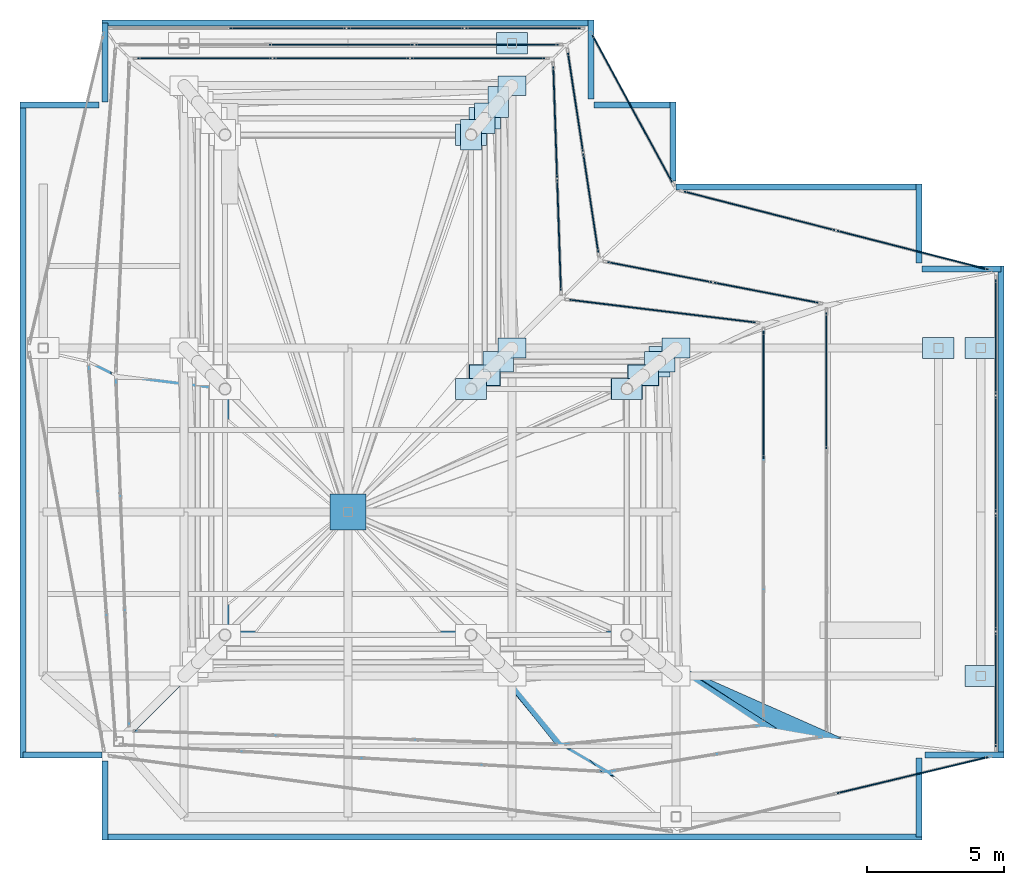
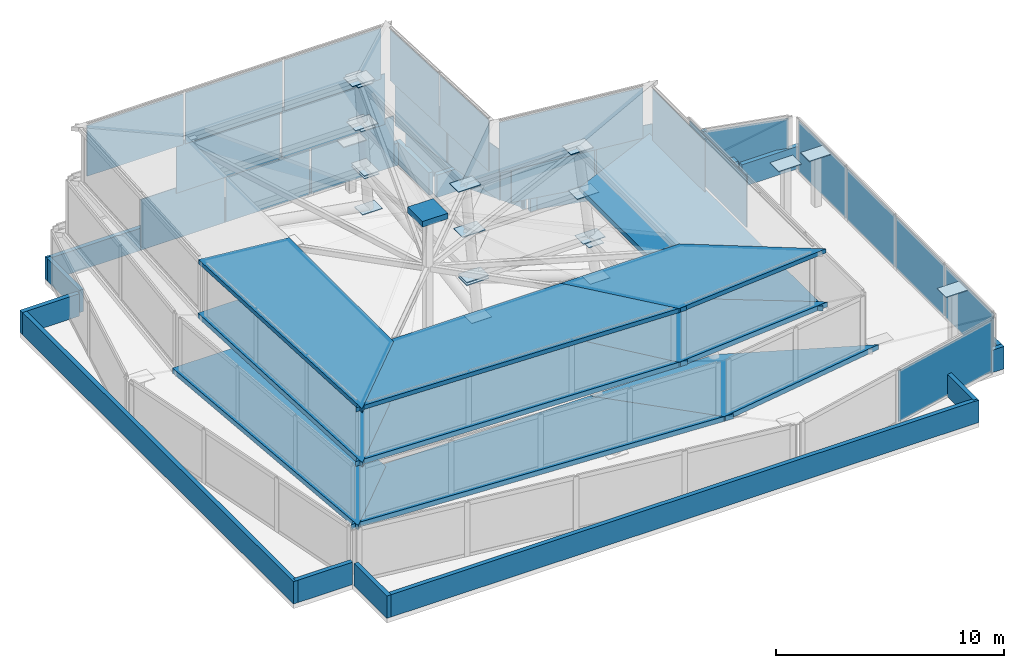
# One storey, part 13 of 15: 50 plates, 16 walls, 11 discrete accessories, 13 elements without a shape of their own.
"""IFC4 building model written with IfcOpenShell, lengths in metres."""

import ifcopenshell
import ifcopenshell.guid

model = None  # the IFC model being written
_history = None  # IfcOwnerHistory: only IFC2X3 demands one
_inside = {}  # id of a spatial element -> (the spatial element, [elements in it])
_under = {}  # id of a project, library or spatial element -> (it, [spatial elements below it])
_declared = {}  # id of a project -> (the project, [libraries it declares])
_typed = {}  # id of a type object -> (the type object, [elements of that type])
_made_of = {}  # id of a material, layer set ... -> (it, [elements and type objects made of it])


def new_model(schema):
    """Start an empty IFC model of exactly this schema.

    Asked for "IFC4X3", IfcOpenShell would pick the latest addendum, in which some entities
    have other attributes; the version numbers below select the first issue.
    IFC2X3 requires an IfcOwnerHistory on every rooted entity: one is made here for all.
    """
    global model, _history
    if schema == "IFC4X3":
        model = ifcopenshell.file(schema_version=(4, 3, 0, 0))
    else:
        model = ifcopenshell.file(schema=schema)
    _inside.clear()
    _under.clear()
    _declared.clear()
    _typed.clear()
    _made_of.clear()
    _history = None
    if model.schema == "IFC2X3":
        org = make("IfcOrganization", Name="unknown")
        user = make(
            "IfcPersonAndOrganization",
            ThePerson=make("IfcPerson", FamilyName="unknown"),
            TheOrganization=org,
        )
        app = make(
            "IfcApplication",
            ApplicationDeveloper=org,
            Version="unknown",
            ApplicationFullName="unknown",
            ApplicationIdentifier="unknown",
        )
        _history = make(
            "IfcOwnerHistory",
            OwningUser=user,
            OwningApplication=app,
            ChangeAction="ADDED",
            CreationDate=0,
        )
    return model


def make(cls, **values):
    """One entity of the class cls with the attributes given. An attribute that is None is left unset."""
    return model.create_entity(
        cls, **{name: value for name, value in values.items() if value is not None}
    )


def rooted(cls, **values):
    """An entity with a GlobalId (a new one), such as an element, a storey or a relation."""
    return make(cls, GlobalId=ifcopenshell.guid.new(), OwnerHistory=_history, **values)


def si_unit(unit_type, name, prefix=None):
    """IfcSIUnit, for example si_unit("LENGTHUNIT", "METRE", prefix="MILLI")."""
    return make("IfcSIUnit", UnitType=unit_type, Prefix=prefix, Name=name)


def assignment(units):
    """IfcUnitAssignment: the units of a project."""
    return None if units is None else make("IfcUnitAssignment", Units=units)


def point(xyz):
    """IfcCartesianPoint."""
    return None if xyz is None else make("IfcCartesianPoint", Coordinates=xyz)


def direction(xyz):
    """IfcDirection."""
    return None if xyz is None else make("IfcDirection", DirectionRatios=xyz)


def frame(location, z_axis=None, x_axis=None):
    """IfcAxis2Placement3D, a coordinate frame: its origin and axes. An axis left out is left unset."""
    return make(
        "IfcAxis2Placement3D",
        Location=point(location),
        Axis=direction(z_axis),
        RefDirection=direction(x_axis),
    )


def frame_2d(location, x_axis=None):
    """IfcAxis2Placement2D, a coordinate frame in the plane: its origin and x axis."""
    return make(
        "IfcAxis2Placement2D", Location=point(location), RefDirection=direction(x_axis)
    )


def origin():
    """The frame at (0, 0, 0) with its axes left unset."""
    return frame((0.0, 0.0, 0.0))


def origin_2d():
    """The frame at (0, 0) in the plane with its x axis left unset."""
    return frame_2d((0.0, 0.0))


def place(relative_to, where):
    """IfcLocalPlacement: puts the frame where relative to a parent placement (None: the world)."""
    return make(
        "IfcLocalPlacement", PlacementRelTo=relative_to, RelativePlacement=where
    )


def context(
    kind, dimensions, precision=None, world=None, true_north=None, identifier=None
):
    """IfcGeometricRepresentationContext, for example the 3D "Model" context."""
    return make(
        "IfcGeometricRepresentationContext",
        ContextIdentifier=identifier,
        ContextType=kind,
        CoordinateSpaceDimension=dimensions,
        Precision=precision,
        WorldCoordinateSystem=world,
        TrueNorth=true_north,
    )


def subcontext(parent, identifier, kind, view, scale=None):
    """IfcGeometricRepresentationSubContext, for example "Body" below "Model"."""
    return make(
        "IfcGeometricRepresentationSubContext",
        ContextIdentifier=identifier,
        ContextType=kind,
        ParentContext=parent,
        TargetScale=scale,
        TargetView=view,
    )


def project(units=None, contexts=None):
    """IfcProject with its units and contexts."""
    return rooted(
        "IfcProject",
        Name="project",
        RepresentationContexts=contexts,
        UnitsInContext=assignment(units),
    )


def spatial(cls, under=None, at=None, **own):
    """A site, building, storey or space (cls), placed at a placement, below another one or the project."""
    s = rooted(cls, ObjectPlacement=at, **own)
    if under is not None:
        _under.setdefault(under.id(), (under, []))[1].append(s)
    return s


def polyline(points):
    """IfcPolyline through the points."""
    return make("IfcPolyline", Points=[point(p) for p in points])


def profile(cls, at=None, kind="AREA", **sizes):
    """A parametric profile (cls). Its sizes go by their IFC names, for example OverallWidth=200.0."""
    return make(cls, ProfileType=kind, Position=at, **sizes)


def rectangle(**sizes):
    """IfcRectangleProfileDef."""
    return profile("IfcRectangleProfileDef", **sizes)


def outline(outer, holes=None, kind="AREA"):
    """IfcArbitraryClosedProfileDef: a profile drawn as a closed curve; with holes, ...WithVoids."""
    if holes is None:
        return make("IfcArbitraryClosedProfileDef", ProfileType=kind, OuterCurve=outer)
    return make(
        "IfcArbitraryProfileDefWithVoids",
        ProfileType=kind,
        OuterCurve=outer,
        InnerCurves=holes,
    )


def extrude(swept, where, along, depth):
    """IfcExtrudedAreaSolid: the profile swept, set in the frame where, extruded along a direction by depth."""
    return make(
        "IfcExtrudedAreaSolid",
        SweptArea=swept,
        Position=where,
        ExtrudedDirection=direction(along),
        Depth=depth,
    )


def shape(context_of_items, identifier, shape_type, items):
    """IfcShapeRepresentation: the items that make up one representation, for example the "Body"."""
    return make(
        "IfcShapeRepresentation",
        ContextOfItems=context_of_items,
        RepresentationIdentifier=identifier,
        RepresentationType=shape_type,
        Items=items,
    )


def material(Name=None, Category=None):
    """IfcMaterial."""
    return make("IfcMaterial", Name=Name, Category=Category)


def layer(
    of_material, thickness, ventilated=None, Name=None, Category=None, Priority=None
):
    """IfcMaterialLayer: one layer of a wall or slab, of a material (None: an air gap)."""
    return make(
        "IfcMaterialLayer",
        Material=of_material,
        LayerThickness=thickness,
        IsVentilated=ventilated,
        Name=Name,
        Category=Category,
        Priority=Priority,
    )


def layer_set(layers, Name=None):
    """IfcMaterialLayerSet."""
    return make("IfcMaterialLayerSet", MaterialLayers=layers, LayerSetName=Name)


def made_of(thing, what):
    """Note that an element or type object is made of a material, layer set ...; save() writes the relation."""
    if what is not None:
        _made_of.setdefault(what.id(), (what, []))[1].append(thing)
    return thing


def type_object(cls, material=None, **own):
    """A type object (cls), such as IfcWallType, which elements share."""
    return made_of(rooted(cls, **own), material)


def element(
    cls,
    number,
    at=None,
    inside=None,
    cuts=None,
    type_object=None,
    material=None,
    context=None,
    identifier="Body",
    shape_type=None,
    held_by="IfcProductDefinitionShape",
    body=None,
    shapes=None,
    **own,
):
    """One element of the class cls, such as IfcWall. Its Tag is "e" and its number.

    at: its placement. inside: the storey or other place that contains it. cuts: it is an
    opening in that element (IfcRelVoidsElement). A single representation is given by context,
    identifier, shape_type and body (its items); several are given by shapes. held_by: the class
    of the entity that holds the representations. save() writes the other relations.
    """
    e = rooted(cls, Tag="e%d" % number, ObjectPlacement=at, **own)
    if body is not None:
        shapes = [shape(context, identifier, shape_type, body)]
    if shapes is not None:
        e.Representation = make(held_by, Representations=shapes)
    if inside is not None:
        _inside.setdefault(inside.id(), (inside, []))[1].append(e)
    if cuts is not None:
        rooted(
            "IfcRelVoidsElement", RelatingBuildingElement=cuts, RelatedOpeningElement=e
        )
    if type_object is not None:
        _typed.setdefault(type_object.id(), (type_object, []))[1].append(e)
    return made_of(e, material)


def aggregate(whole, parts):
    """IfcRelAggregates: a whole, such as a stair, and the parts it consists of."""
    return rooted("IfcRelAggregates", RelatingObject=whole, RelatedObjects=parts)


def save(model, path):
    """Write the relations noted so far, then the file.

    IfcRelAggregates (storeys below a building ...), IfcRelContainedInSpatialStructure (elements
    in a storey), IfcRelDefinesByType, IfcRelAssociatesMaterial and IfcRelDeclares: one each for
    every whole, place, type object, material and project.
    """
    for whole, parts in _under.values():
        aggregate(whole, parts)
    for where, things in _inside.values():
        rooted(
            "IfcRelContainedInSpatialStructure",
            RelatedElements=things,
            RelatingStructure=where,
        )
    for kind, things in _typed.values():
        rooted("IfcRelDefinesByType", RelatedObjects=things, RelatingType=kind)
    for what, things in _made_of.values():
        rooted("IfcRelAssociatesMaterial", RelatedObjects=things, RelatingMaterial=what)
    for by, libraries in _declared.values():
        rooted("IfcRelDeclares", RelatingContext=by, RelatedDefinitions=libraries)
    model.write(path)


model = new_model("IFC4")

# Units and contexts
model_context = context("Model", 3, precision=1e-05, world=origin(), true_north=direction((0.0, 1.0)))
body_context = subcontext(model_context, "Body", "Model", "MODEL_VIEW")
ifc_project = project(units=[si_unit("LENGTHUNIT", "METRE"), si_unit("AREAUNIT", "SQUARE_METRE"), si_unit("VOLUMEUNIT", "CUBIC_METRE"), si_unit("PLANEANGLEUNIT", "RADIAN"), si_unit("MASSUNIT", "GRAM", prefix="KILO"), si_unit("THERMODYNAMICTEMPERATUREUNIT", "KELVIN"), si_unit("POWERUNIT", "WATT")], contexts=[model_context])

# Site, building, storey
site_placement = place(None, origin())
site = spatial("IfcSite", under=ifc_project, at=site_placement, CompositionType="ELEMENT")
building_placement = place(site_placement, origin())
building = spatial("IfcBuilding", under=site, at=building_placement, Name="Svarakhadi Broadcast Tower", CompositionType="ELEMENT")
storey_placement = place(building_placement, frame((0.0, 0.0, 310.5)))
storey = spatial("IfcBuildingStorey", under=building, at=storey_placement, Name="RF", CompositionType="ELEMENT", Elevation=310.5)

# Curtain wall, plate
ifc_material_1 = material(Name="Anodised Bronze Aluminium AA 6063-T6", Category="aluminium")
ifc_layer_1 = layer(ifc_material_1, 0.260009765625)
ifc_layer_set_1 = layer_set([ifc_layer_1], Name="Anodised Bronze Aluminium AA 6063-T6")
curtain_wall_type = type_object("IfcCurtainWallType", Name="CW_Sys_07", PredefinedType="NOTDEFINED", material=ifc_layer_set_1)
curtain_wall_1_placement = place(storey_placement, origin())
curtain_wall_1 = element("IfcCurtainWall", 1, at=curtain_wall_1_placement, inside=storey, type_object=curtain_wall_type, Name="Crown Tier 1 Faceted Curtain Wall 2", PredefinedType="NOTDEFINED")
ifc_material_2 = material(Name="Triple Laminated Solar-Control Crown Glass 42 mm", Category="glass")
ifc_layer_2 = layer(ifc_material_2, 0.0419921875)
ifc_layer_set_2 = layer_set([ifc_layer_2], Name="Triple Laminated Solar-Control Crown Glass 42 mm")
plate_type_1 = type_object("IfcPlateType", Name="CW_Sys_07_Pnl", PredefinedType="CURTAIN_PANEL", material=ifc_layer_set_2)
plate_1_placement = place(storey_placement, frame((32.64599609375, 2.369140625, 0.08984375), z_axis=(0.0, 0.0, 1.0), x_axis=(0.972537468468, 0.232746369309, 0.0)))
plate_1 = element("IfcPlate", 2, at=plate_1_placement, type_object=plate_type_1, Name="CW-07 panel 2.1", PredefinedType="CURTAIN_PANEL", context=body_context, shape_type="SweptSolid", body=[
    extrude(rectangle(XDim=5.66015625, YDim=0.0419921875, at=origin_2d()), origin(), (0.0, 0.0, 1.0), 2.719970703125),
])
aggregate(curtain_wall_1, [plate_1])

# Curtain wall, plates
curtain_wall_2_placement = place(storey_placement, origin())
curtain_wall_2 = element("IfcCurtainWall", 3, at=curtain_wall_2_placement, inside=storey, type_object=curtain_wall_type, Name="Crown Tier 1 Faceted Curtain Wall 3", PredefinedType="NOTDEFINED")
plate_2_placement = place(storey_placement, frame((35.699951171875, 5.5, 0.08984375), z_axis=(0.0, 0.0, 1.0), x_axis=(0.0, 1.0, 0.0)))
plate_2 = element("IfcPlate", 4, at=plate_2_placement, type_object=plate_type_1, Name="CW-07 panel 1.1", PredefinedType="CURTAIN_PANEL", context=body_context, shape_type="SweptSolid", body=[
    extrude(rectangle(XDim=4.179931640625, YDim=0.0419921875, at=origin_2d()), origin(), (0.0, 0.0, 1.0), 2.719970703125),
])
plate_3_placement = place(storey_placement, frame((35.699951171875, 9.79248046875, 0.08984375), z_axis=(0.0, 0.0, 1.0), x_axis=(0.0, 1.0, 0.0)))
plate_3 = element("IfcPlate", 5, at=plate_3_placement, type_object=plate_type_1, Name="CW-07 panel 2.1", PredefinedType="CURTAIN_PANEL", context=body_context, shape_type="SweptSolid", body=[
    extrude(rectangle(XDim=4.22509765625, YDim=0.0419921875, at=origin_2d()), origin(), (0.0, 0.0, 1.0), 2.719970703125),
])
plate_4_placement = place(storey_placement, frame((35.699951171875, 14.107421875, 0.08984375), z_axis=(0.0, 0.0, 1.0), x_axis=(0.0, 1.0, 0.0)))
plate_4 = element("IfcPlate", 6, at=plate_4_placement, type_object=plate_type_1, Name="CW-07 panel 3.1", PredefinedType="CURTAIN_PANEL", context=body_context, shape_type="SweptSolid", body=[
    extrude(rectangle(XDim=4.22509765625, YDim=0.0419921875, at=origin_2d()), origin(), (0.0, 0.0, 1.0), 2.719970703125),
])
plate_5_placement = place(storey_placement, frame((35.699951171875, 18.39990234375, 0.08984375), z_axis=(0.0, 0.0, 1.0), x_axis=(0.0, 1.0, 0.0)))
plate_5 = element("IfcPlate", 7, at=plate_5_placement, type_object=plate_type_1, Name="CW-07 panel 4.1", PredefinedType="CURTAIN_PANEL", context=body_context, shape_type="SweptSolid", body=[
    extrude(rectangle(XDim=4.179931640625, YDim=0.0419921875, at=origin_2d()), origin(), (0.0, 0.0, 1.0), 2.719970703125),
])
aggregate(curtain_wall_2, [plate_2, plate_3, plate_4, plate_5])

curtain_wall_3_placement = place(storey_placement, origin())
curtain_wall_3 = element("IfcCurtainWall", 8, at=curtain_wall_3_placement, inside=storey, type_object=curtain_wall_type, Name="Crown Tier 1 Faceted Curtain Wall 4", PredefinedType="NOTDEFINED")
plate_6_placement = place(storey_placement, frame((32.646728515625, 21.5830078125, 0.08984375), z_axis=(0.0, 0.0, 1.0), x_axis=(-0.968662169853, 0.248381965319, 0.0)))
plate_6 = element("IfcPlate", 9, at=plate_6_placement, type_object=plate_type_1, Name="CW-07 panel 1.1", PredefinedType="CURTAIN_PANEL", context=body_context, shape_type="SweptSolid", body=[
    extrude(rectangle(XDim=5.684326171875, YDim=0.0419921875, at=origin_2d()), origin(), (0.0, 0.0, 1.0), 2.719970703125),
])
plate_7_placement = place(storey_placement, frame((27.053466796875, 23.01708984375, 0.08984375), z_axis=(0.0, 0.0, 1.0), x_axis=(-0.968662169853, 0.248381965319, 0.0)))
plate_7 = element("IfcPlate", 10, at=plate_7_placement, type_object=plate_type_1, Name="CW-07 panel 2.1", PredefinedType="CURTAIN_PANEL", context=body_context, shape_type="SweptSolid", body=[
    extrude(rectangle(XDim=5.684326171875, YDim=0.0419921875, at=origin_2d()), origin(), (0.0, 0.0, 1.0), 2.719970703125),
])
aggregate(curtain_wall_3, [plate_6, plate_7])

# Curtain wall, plate
curtain_wall_4_placement = place(storey_placement, origin())
curtain_wall_4 = element("IfcCurtainWall", 11, at=curtain_wall_4_placement, inside=storey, type_object=curtain_wall_type, Name="Crown Tier 1 Faceted Curtain Wall 5", PredefinedType="NOTDEFINED")
plate_8_placement = place(storey_placement, frame((22.39990234375, 26.75, 0.08984375), z_axis=(0.0, 0.0, 1.0), x_axis=(-0.476761787503, 0.879032535221, 0.0)))
plate_8 = element("IfcPlate", 12, at=plate_8_placement, type_object=plate_type_1, Name="CW-07 panel 1.1", PredefinedType="CURTAIN_PANEL", context=body_context, shape_type="SweptSolid", body=[
    extrude(rectangle(XDim=6.091796875, YDim=0.0419921875, at=origin_2d()), origin(), (0.0, 0.0, 1.0), 2.719970703125),
])
aggregate(curtain_wall_4, [plate_8])

# Curtain wall, plates
curtain_wall_5_placement = place(storey_placement, origin())
curtain_wall_5 = element("IfcCurtainWall", 13, at=curtain_wall_5_placement, inside=storey, type_object=curtain_wall_type, Name="Crown Tier 1 Faceted Curtain Wall 6", PredefinedType="NOTDEFINED")
plate_9_placement = place(storey_placement, frame((18.39990234375, 29.699951171875, 0.08984375), z_axis=(0.0, 0.0, 1.0), x_axis=(-1.0, 0.0, 0.0)))
plate_9 = element("IfcPlate", 14, at=plate_9_placement, type_object=plate_type_1, Name="CW-07 panel 1.1", PredefinedType="CURTAIN_PANEL", context=body_context, shape_type="SweptSolid", body=[
    extrude(rectangle(XDim=4.179931640625, YDim=0.0419921875, at=origin_2d()), origin(), (0.0, 0.0, 1.0), 2.719970703125),
])
plate_10_placement = place(storey_placement, frame((14.107421875, 29.699951171875, 0.08984375), z_axis=(0.0, 0.0, 1.0), x_axis=(-1.0, 0.0, 0.0)))
plate_10 = element("IfcPlate", 15, at=plate_10_placement, type_object=plate_type_1, Name="CW-07 panel 2.1", PredefinedType="CURTAIN_PANEL", context=body_context, shape_type="SweptSolid", body=[
    extrude(rectangle(XDim=4.22509765625, YDim=0.0419921875, at=origin_2d()), origin(), (0.0, 0.0, 1.0), 2.719970703125),
])
plate_11_placement = place(storey_placement, frame((9.79248046875, 29.699951171875, 0.08984375), z_axis=(0.0, 0.0, 1.0), x_axis=(-1.0, 0.0, 0.0)))
plate_11 = element("IfcPlate", 16, at=plate_11_placement, type_object=plate_type_1, Name="CW-07 panel 3.1", PredefinedType="CURTAIN_PANEL", context=body_context, shape_type="SweptSolid", body=[
    extrude(rectangle(XDim=4.22509765625, YDim=0.0419921875, at=origin_2d()), origin(), (0.0, 0.0, 1.0), 2.719970703125),
])
aggregate(curtain_wall_5, [plate_9, plate_10, plate_11])

# Curtain wall, plate
curtain_wall_6_placement = place(storey_placement, origin())
curtain_wall_6 = element("IfcCurtainWall", 17, at=curtain_wall_6_placement, inside=storey, type_object=curtain_wall_type, Name="Crown Tier 2 Faceted Curtain Wall 3", PredefinedType="NOTDEFINED")
plate_12_placement = place(storey_placement, frame((29.5, 16.797607421875, 2.990234375), z_axis=(0.0, 0.0, 1.0), x_axis=(0.0, 1.0, 0.0)))
plate_12 = element("IfcPlate", 18, at=plate_12_placement, type_object=plate_type_1, Name="CW-07 panel 3.1", PredefinedType="CURTAIN_PANEL", context=body_context, shape_type="SweptSolid", body=[
    extrude(rectangle(XDim=4.985107421875, YDim=0.0419921875, at=origin_2d()), origin(), (0.0, 0.0, 1.0), 2.719970703125),
])
aggregate(curtain_wall_6, [plate_12])

# Curtain wall, plates
curtain_wall_7_placement = place(storey_placement, origin())
curtain_wall_7 = element("IfcCurtainWall", 19, at=curtain_wall_7_placement, inside=storey, type_object=curtain_wall_type, Name="Crown Tier 2 Faceted Curtain Wall 4", PredefinedType="NOTDEFINED")
plate_13_placement = place(storey_placement, frame((27.294921875, 20.025146484375, 2.990234375), z_axis=(0.0, 0.0, 1.0), x_axis=(-0.981920178116, 0.189295440537, 0.0)))
plate_13 = element("IfcPlate", 20, at=plate_13_placement, type_object=plate_type_1, Name="CW-07 panel 1.1", PredefinedType="CURTAIN_PANEL", context=body_context, shape_type="SweptSolid", body=[
    extrude(rectangle(XDim=3.871337890625, YDim=0.0419921875, at=origin_2d()), origin(), (0.0, 0.0, 1.0), 2.719970703125),
])
plate_14_placement = place(storey_placement, frame((23.405029296875, 20.77490234375, 2.990234375), z_axis=(0.0, 0.0, 1.0), x_axis=(-0.981920178116, 0.189295440537, 0.0)))
plate_14 = element("IfcPlate", 21, at=plate_14_placement, type_object=plate_type_1, Name="CW-07 panel 2.1", PredefinedType="CURTAIN_PANEL", context=body_context, shape_type="SweptSolid", body=[
    extrude(rectangle(XDim=3.871337890625, YDim=0.0419921875, at=origin_2d()), origin(), (0.0, 0.0, 1.0), 2.719970703125),
])
aggregate(curtain_wall_7, [plate_13, plate_14])

curtain_wall_8_placement = place(storey_placement, origin())
curtain_wall_8 = element("IfcCurtainWall", 22, at=curtain_wall_8_placement, inside=storey, type_object=curtain_wall_type, Name="Crown Tier 2 Faceted Curtain Wall 5", PredefinedType="NOTDEFINED")
plate_15_placement = place(storey_placement, frame((20.880126953125, 23.305908203125, 2.990234375), z_axis=(0.0, 0.0, 1.0), x_axis=(-0.150185922647, 0.988657771243, 0.0)))
plate_15 = element("IfcPlate", 23, at=plate_15_placement, type_object=plate_type_1, Name="CW-07 panel 1.1", PredefinedType="CURTAIN_PANEL", context=body_context, shape_type="SweptSolid", body=[
    extrude(rectangle(XDim=3.640380859375, YDim=0.0419921875, at=origin_2d()), origin(), (0.0, 0.0, 1.0), 2.719970703125),
])
plate_16_placement = place(storey_placement, frame((20.31982421875, 26.993896484375, 2.990234375), z_axis=(0.0, 0.0, 1.0), x_axis=(-0.150185922647, 0.988657771243, 0.0)))
plate_16 = element("IfcPlate", 24, at=plate_16_placement, type_object=plate_type_1, Name="CW-07 panel 2.1", PredefinedType="CURTAIN_PANEL", context=body_context, shape_type="SweptSolid", body=[
    extrude(rectangle(XDim=3.640380859375, YDim=0.0419921875, at=origin_2d()), origin(), (0.0, 0.0, 1.0), 2.719970703125),
])
aggregate(curtain_wall_8, [plate_15, plate_16])

curtain_wall_9_placement = place(storey_placement, origin())
curtain_wall_9 = element("IfcCurtainWall", 25, at=curtain_wall_9_placement, inside=storey, type_object=curtain_wall_type, Name="Crown Tier 2 Faceted Curtain Wall 6", PredefinedType="NOTDEFINED")
plate_17_placement = place(storey_placement, frame((17.080810546875, 29.10009765625, 2.990234375), z_axis=(0.0, 0.0, 1.0), x_axis=(-1.0, 0.0, 0.0)))
plate_17 = element("IfcPlate", 26, at=plate_17_placement, type_object=plate_type_1, Name="CW-07 panel 1.1", PredefinedType="CURTAIN_PANEL", context=body_context, shape_type="SweptSolid", body=[
    extrude(rectangle(XDim=5.21826171875, YDim=0.0419921875, at=origin_2d()), origin(), (0.0, 0.0, 1.0), 2.719970703125),
])
plate_18_placement = place(storey_placement, frame((11.75, 29.10009765625, 2.990234375), z_axis=(0.0, 0.0, 1.0), x_axis=(-1.0, 0.0, 0.0)))
plate_18 = element("IfcPlate", 27, at=plate_18_placement, type_object=plate_type_1, Name="CW-07 panel 2.1", PredefinedType="CURTAIN_PANEL", context=body_context, shape_type="SweptSolid", body=[
    extrude(rectangle(XDim=5.263427734375, YDim=0.0419921875, at=origin_2d()), origin(), (0.0, 0.0, 1.0), 2.719970703125),
])
aggregate(curtain_wall_9, [plate_17, plate_18])

# Curtain wall, plate
curtain_wall_10_placement = place(storey_placement, origin())
curtain_wall_10 = element("IfcCurtainWall", 28, at=curtain_wall_10_placement, inside=storey, type_object=curtain_wall_type, Name="Crown Tier 3 Faceted Curtain Wall 3", PredefinedType="NOTDEFINED")
plate_19_placement = place(storey_placement, frame((27.199951171875, 16.28076171875, 5.89013671875), z_axis=(0.0, 0.0, 1.0), x_axis=(0.0, 1.0, 0.0)))
plate_19 = element("IfcPlate", 29, at=plate_19_placement, type_object=plate_type_1, Name="CW-07 panel 3.1", PredefinedType="CURTAIN_PANEL", context=body_context, shape_type="SweptSolid", body=[
    extrude(rectangle(XDim=4.618408203125, YDim=0.0419921875, at=origin_2d()), origin(), (0.0, 0.0, 1.0), 2.719970703125),
])
aggregate(curtain_wall_10, [plate_19])

curtain_wall_11_placement = place(storey_placement, origin())
curtain_wall_11 = element("IfcCurtainWall", 30, at=curtain_wall_11_placement, inside=storey, type_object=curtain_wall_type, Name="Crown Tier 3 Faceted Curtain Wall 4", PredefinedType="NOTDEFINED")
plate_20_placement = place(storey_placement, frame((23.5, 19.35009765625, 5.89013671875), z_axis=(0.0, 0.0, 1.0), x_axis=(-0.992686434255, 0.120721345443, 0.0)))
plate_20 = element("IfcPlate", 31, at=plate_20_placement, type_object=plate_type_1, Name="CW-07 panel 1.1", PredefinedType="CURTAIN_PANEL", context=body_context, shape_type="SweptSolid", body=[
    extrude(rectangle(XDim=6.83447265625, YDim=0.0419921875, at=origin_2d()), origin(), (0.0, 0.0, 1.0), 2.719970703125),
])
aggregate(curtain_wall_11, [plate_20])

# Curtain wall, plates
curtain_wall_12_placement = place(storey_placement, origin())
curtain_wall_12 = element("IfcCurtainWall", 32, at=curtain_wall_12_placement, inside=storey, type_object=curtain_wall_type, Name="Crown Tier 3 Faceted Curtain Wall 5", PredefinedType="NOTDEFINED")
plate_21_placement = place(storey_placement, frame((19.720458984375, 22.13232421875, 5.89013671875), z_axis=(0.0, 0.0, 1.0), x_axis=(-0.034070302152, 0.99941943873, 0.0)))
plate_21 = element("IfcPlate", 33, at=plate_21_placement, type_object=plate_type_1, Name="CW-07 panel 1.1", PredefinedType="CURTAIN_PANEL", context=body_context, shape_type="SweptSolid", body=[
    extrude(rectangle(XDim=4.047607421875, YDim=0.0419921875, at=origin_2d()), origin(), (0.0, 0.0, 1.0), 2.719970703125),
])
plate_22_placement = place(storey_placement, frame((19.57958984375, 26.267578125, 5.89013671875), z_axis=(0.0, 0.0, 1.0), x_axis=(-0.034070302152, 0.99941943873, 0.0)))
plate_22 = element("IfcPlate", 34, at=plate_22_placement, type_object=plate_type_1, Name="CW-07 panel 2.1", PredefinedType="CURTAIN_PANEL", context=body_context, shape_type="SweptSolid", body=[
    extrude(rectangle(XDim=4.047607421875, YDim=0.0419921875, at=origin_2d()), origin(), (0.0, 0.0, 1.0), 2.719970703125),
])
aggregate(curtain_wall_12, [plate_21, plate_22])

curtain_wall_13_placement = place(storey_placement, origin())
curtain_wall_13 = element("IfcCurtainWall", 35, at=curtain_wall_13_placement, inside=storey, type_object=curtain_wall_type, Name="Crown Tier 3 Faceted Curtain Wall 6", PredefinedType="NOTDEFINED")
plate_23_placement = place(storey_placement, frame((16.74755859375, 28.60009765625, 5.89013671875), z_axis=(0.0, 0.0, 1.0), x_axis=(-1.0, 0.0, 0.0)))
plate_23 = element("IfcPlate", 36, at=plate_23_placement, type_object=plate_type_1, Name="CW-07 panel 1.1", PredefinedType="CURTAIN_PANEL", context=body_context, shape_type="SweptSolid", body=[
    extrude(rectangle(XDim=4.885009765625, YDim=0.0419921875, at=origin_2d()), origin(), (0.0, 0.0, 1.0), 2.719970703125),
])
plate_24_placement = place(storey_placement, frame((11.75, 28.60009765625, 5.89013671875), z_axis=(0.0, 0.0, 1.0), x_axis=(-1.0, 0.0, 0.0)))
plate_24 = element("IfcPlate", 37, at=plate_24_placement, type_object=plate_type_1, Name="CW-07 panel 2.1", PredefinedType="CURTAIN_PANEL", context=body_context, shape_type="SweptSolid", body=[
    extrude(rectangle(XDim=4.929931640625, YDim=0.0419921875, at=origin_2d()), origin(), (0.0, 0.0, 1.0), 2.719970703125),
])
plate_25_placement = place(storey_placement, frame((6.75244140625, 28.60009765625, 5.89013671875), z_axis=(0.0, 0.0, 1.0), x_axis=(-1.0, 0.0, 0.0)))
plate_25 = element("IfcPlate", 38, at=plate_25_placement, type_object=plate_type_1, Name="CW-07 panel 3.1", PredefinedType="CURTAIN_PANEL", context=body_context, shape_type="SweptSolid", body=[
    extrude(rectangle(XDim=4.885009765625, YDim=0.0419921875, at=origin_2d()), origin(), (0.0, 0.0, 1.0), 2.719970703125),
])
aggregate(curtain_wall_13, [plate_23, plate_24, plate_25])

# Plates
ifc_material_3 = material(Name="Steel S460ML (IS 2062 E450BR)", Category="steel")
ifc_layer_3 = layer(ifc_material_3, 0.031982421875)
ifc_layer_set_3 = layer_set([ifc_layer_3], Name="Steel S460ML (IS 2062 E450BR)")
plate_type_2 = type_object("IfcPlateType", Name="Cap_Plate_CP01", PredefinedType="USERDEFINED", material=ifc_layer_set_3)
for number, where, z_axis, x_axis, name in (
    (39, (24.0, 18.0, 0.0), (0.0, 0.0, 1.0), (1.0, 0.0, 0.0), "Crown Spire Leg Baseplate SL-01-BP04"),
    (40, (18.0, 18.0, 0.0), (0.0, 0.0, 1.0), (1.0, 0.0, 0.0), "Crown Spire Leg Baseplate SL-01-BP05"),
    (41, (18.0, 27.60009765625, 0.0), (0.0, 0.0, 1.0), (1.0, 0.0, 0.0), "Crown Spire Leg Baseplate SL-01-BP06"),
):
    element("IfcPlate", number, at=place(storey_placement, frame(where, z_axis=z_axis, x_axis=x_axis)), inside=storey, type_object=plate_type_2, Name=name, ObjectType="FLANGE_PLATE", PredefinedType="USERDEFINED", context=body_context, shape_type="SweptSolid", body=[
        extrude(rectangle(XDim=1.02001953125, YDim=0.719970703125, at=origin_2d()), origin(), (0.0, 0.0, 1.0), 0.031982421875),
    ])
ifc_layer_4 = layer(ifc_material_3, 0.034912109375)
ifc_layer_set_4 = layer_set([ifc_layer_4], Name="Steel S460ML (IS 2062 E450BR)")
plate_type_3 = type_object("IfcPlateType", Name="Outrigger_Node_ON03", PredefinedType="SHEET", material=ifc_layer_set_4)
for number, where, z_axis, x_axis, name in (
    (42, (23.39990234375, 17.5, 2.552734375), (0.0, 0.0, 1.0), (0.0, 1.0, 0.0), "RF Brace End Connection Gusset Plate ON-03-E0713"),
    (43, (23.39990234375, 17.5, 2.70263671875), (0.0, 0.0, 1.0), (1.0, 0.0, 0.0), "RF Brace End Connection Gusset Plate ON-03-E0714"),
    (44, (17.5, 17.5, 2.552734375), (0.0, 0.0, 1.0), (1.0, 0.0, 0.0), "RF Brace End Connection Gusset Plate ON-03-E0715"),
    (45, (17.5, 17.5, 2.70263671875), (0.0, 0.0, 1.0), (1.0, 0.0, 0.0), "RF Brace End Connection Gusset Plate ON-03-E0716"),
    (46, (17.5, 27.0, 2.552734375), (0.0, 0.0, 1.0), (0.0, 1.0, 0.0), "RF Brace End Connection Gusset Plate ON-03-E0717"),
    (47, (17.5, 27.0, 2.70263671875), (0.0, 0.0, 1.0), (0.0, 1.0, 0.0), "RF Brace End Connection Gusset Plate ON-03-E0718"),
    (48, (22.800048828125, 17.0, 5.6025390625), (0.0, 0.0, 1.0), (1.0, 0.0, 0.0), "RF Brace End Connection Gusset Plate ON-03-E0727"),
    (49, (17.0, 17.0, 5.6025390625), (0.0, 0.0, 1.0), (1.0, 0.0, 0.0), "RF Brace End Connection Gusset Plate ON-03-E0728"),
    (50, (17.0, 26.39990234375, 5.6025390625), (0.0, 0.0, 1.0), (0.0, 1.0, 0.0), "RF Brace End Connection Gusset Plate ON-03-E0729"),
    (51, (22.199951171875, 16.5, 8.50244140625), (0.0, 0.0, 1.0), (1.0, 0.0, 0.0), "RF Brace End Connection Gusset Plate ON-03-E0735"),
    (52, (16.5, 16.5, 8.50244140625), (0.0, 0.0, 1.0), (1.0, 0.0, 0.0), "RF Brace End Connection Gusset Plate ON-03-E0736"),
    (53, (16.5, 25.800048828125, 8.50244140625), (0.0, 0.0, 1.0), (0.0, 1.0, 0.0), "RF Brace End Connection Gusset Plate ON-03-E0737"),
):
    element("IfcPlate", number, at=place(storey_placement, frame(where, z_axis=z_axis, x_axis=x_axis)), inside=storey, type_object=plate_type_3, Name=name, PredefinedType="SHEET", context=body_context, shape_type="SweptSolid", body=[
        extrude(rectangle(XDim=1.1201171875, YDim=0.760009765625, at=origin_2d()), origin(), (0.0, 0.0, 1.0), 0.034912109375),
    ])
ifc_layer_5 = layer(ifc_material_3, 0.035888671875)
ifc_layer_set_5 = layer_set([ifc_layer_5], Name="Steel S460ML (IS 2062 E450BR)")
plate_type_4 = type_object("IfcPlateType", Name="Slab_Crown_Collar", PredefinedType="SHEET", material=ifc_layer_set_5)
for number, where, z_axis, x_axis, name in (
    (54, (35.14990234375, 6.0, 2.72021484375), (0.0, 0.0, 1.0), (1.0, 0.0, 0.0), "Crown Tier 1 Bracing Ring Collar Plate 3"),
    (55, (35.14990234375, 18.0, 2.72021484375), (0.0, 0.0, 1.0), (1.0, 0.0, 0.0), "Crown Tier 1 Bracing Ring Collar Plate 4"),
    (56, (33.60009765625, 18.0, 2.72021484375), (0.0, 0.0, 1.0), (1.0, 0.0, 0.0), "Crown Tier 1 Bracing Ring Collar Plate 5"),
    (57, (18.0, 29.14990234375, 2.72021484375), (0.0, 0.0, 1.0), (1.0, 0.0, 0.0), "Crown Tier 1 Bracing Ring Collar Plate 6"),
    (58, (22.800048828125, 17.0, 5.6201171875), (0.0, 0.0, 1.0), (1.0, 0.0, 0.0), "Crown Tier 2 Bracing Ring Collar Plate 4"),
    (59, (17.0, 17.0, 5.6201171875), (0.0, 0.0, 1.0), (1.0, 0.0, 0.0), "Crown Tier 2 Bracing Ring Collar Plate 5"),
    (60, (17.0, 26.39990234375, 5.6201171875), (0.0, 0.0, 1.0), (1.0, 0.0, 0.0), "Crown Tier 2 Bracing Ring Collar Plate 6"),
    (61, (22.199951171875, 16.5, 8.52001953125), (0.0, 0.0, 1.0), (1.0, 0.0, 0.0), "Crown Tier 3 Bracing Ring Collar Plate 4"),
    (62, (16.5, 16.5, 8.52001953125), (0.0, 0.0, 1.0), (1.0, 0.0, 0.0), "Crown Tier 3 Bracing Ring Collar Plate 5"),
    (63, (16.5, 25.800048828125, 8.52001953125), (0.0, 0.0, 1.0), (1.0, 0.0, 0.0), "Crown Tier 3 Bracing Ring Collar Plate 6"),
):
    element("IfcPlate", number, at=place(storey_placement, frame(where, z_axis=z_axis, x_axis=x_axis)), inside=storey, type_object=plate_type_4, Name=name, PredefinedType="SHEET", context=body_context, shape_type="SweptSolid", body=[
        extrude(rectangle(XDim=1.14990234375, YDim=0.780029296875, at=origin_2d()), origin(), (0.0, 0.0, 1.0), 0.035888671875),
    ])

# Walls
ifc_material_4 = material(Name="Concrete C40/50 (IS 456 M50)", Category="concrete")
ifc_layer_6 = layer(ifc_material_4, 0.219970703125)
ifc_layer_set_6 = layer_set([ifc_layer_6], Name="Concrete C40/50 (IS 456 M50)")
wall_type = type_object("IfcWallType", Name="Wall_Parapet_RF", PredefinedType="PARAPET", material=ifc_layer_set_6)
wall_1_placement = place(storey_placement, frame((3.0, 3.110107421875, 0.0), z_axis=(0.0, 0.0, 1.0), x_axis=(-1.0, 0.0, 0.0)))
element("IfcWall", 64, at=wall_1_placement, inside=storey, type_object=wall_type, Name="RF Crown Maintenance Deck Perimeter Parapet Wall 01", PredefinedType="PARAPET", context=body_context, shape_type="SweptSolid", body=[
    extrude(rectangle(XDim=2.889892578125, YDim=0.219970703125, at=frame_2d((1.44482421875, 0.0))), origin(), (0.0, 0.0, 1.0), 1.199951171875),
])
wall_2_placement = place(storey_placement, frame((0.110107421875, 3.0, 0.0), z_axis=(0.0, 0.0, 1.0), x_axis=(0.0, 1.0, 0.0)))
element("IfcWall", 65, at=wall_2_placement, inside=storey, type_object=wall_type, Name="RF Crown Maintenance Deck Perimeter Parapet Wall 02", PredefinedType="PARAPET", context=body_context, shape_type="SweptSolid", body=[
    extrude(rectangle(XDim=23.889892578125, YDim=0.219970703125, at=frame_2d((11.94482421875, 0.0))), origin(), (0.0, 0.0, 1.0), 1.199951171875),
])
for number, where, z_axis, x_axis, name in (
    (66, (0.0, 26.889892578125, 0.0), (0.0, 0.0, 1.0), (1.0, 0.0, 0.0), "RF Crown Maintenance Deck Perimeter Parapet Wall 03"),
    (67, (3.110107421875, 27.0, 0.0), (0.0, 0.0, 1.0), (0.0, 1.0, 0.0), "RF Crown Maintenance Deck Perimeter Parapet Wall 04"),
):
    element("IfcWall", number, at=place(storey_placement, frame(where, z_axis=z_axis, x_axis=x_axis)), inside=storey, type_object=wall_type, Name=name, PredefinedType="PARAPET", context=body_context, shape_type="SweptSolid", body=[
        extrude(rectangle(XDim=2.889892578125, YDim=0.219970703125, at=frame_2d((1.44482421875, 0.0))), origin(), (0.0, 0.0, 1.0), 1.199951171875),
    ])
wall_3_placement = place(storey_placement, frame((3.0, 29.889892578125, 0.0), z_axis=(0.0, 0.0, 1.0), x_axis=(1.0, 0.0, 0.0)))
element("IfcWall", 68, at=wall_3_placement, inside=storey, type_object=wall_type, Name="RF Crown Maintenance Deck Perimeter Parapet Wall 05", PredefinedType="PARAPET", context=body_context, shape_type="SweptSolid", body=[
    extrude(rectangle(XDim=17.889892578125, YDim=0.219970703125, at=frame_2d((8.94482421875, 0.0))), origin(), (0.0, 0.0, 1.0), 1.199951171875),
])
for number, where, z_axis, x_axis, name in (
    (69, (20.889892578125, 30.0, 0.0), (0.0, 0.0, 1.0), (0.0, -1.0, 0.0), "RF Crown Maintenance Deck Perimeter Parapet Wall 06"),
    (70, (21.0, 26.889892578125, 0.0), (0.0, 0.0, 1.0), (1.0, 0.0, 0.0), "RF Crown Maintenance Deck Perimeter Parapet Wall 07"),
    (71, (23.889892578125, 27.0, 0.0), (0.0, 0.0, 1.0), (0.0, -1.0, 0.0), "RF Crown Maintenance Deck Perimeter Parapet Wall 08"),
):
    element("IfcWall", number, at=place(storey_placement, frame(where, z_axis=z_axis, x_axis=x_axis)), inside=storey, type_object=wall_type, Name=name, PredefinedType="PARAPET", context=body_context, shape_type="SweptSolid", body=[
        extrude(rectangle(XDim=2.889892578125, YDim=0.219970703125, at=frame_2d((1.44482421875, 0.0))), origin(), (0.0, 0.0, 1.0), 1.199951171875),
    ])
wall_4_placement = place(storey_placement, frame((24.0, 23.889892578125, 0.0), z_axis=(0.0, 0.0, 1.0), x_axis=(1.0, 0.0, 0.0)))
element("IfcWall", 72, at=wall_4_placement, inside=storey, type_object=wall_type, Name="RF Crown Maintenance Deck Perimeter Parapet Wall 09", PredefinedType="PARAPET", context=body_context, shape_type="SweptSolid", body=[
    extrude(rectangle(XDim=8.889892578125, YDim=0.219970703125, at=frame_2d((4.44482421875, 0.0))), origin(), (0.0, 0.0, 1.0), 1.199951171875),
])
for number, where, z_axis, x_axis, name in (
    (73, (32.889892578125, 24.0, 0.0), (0.0, 0.0, 1.0), (0.0, -1.0, 0.0), "RF Crown Maintenance Deck Perimeter Parapet Wall 10"),
    (74, (33.0, 20.889892578125, 0.0), (0.0, 0.0, 1.0), (1.0, 0.0, 0.0), "RF Crown Maintenance Deck Perimeter Parapet Wall 11"),
):
    element("IfcWall", number, at=place(storey_placement, frame(where, z_axis=z_axis, x_axis=x_axis)), inside=storey, type_object=wall_type, Name=name, PredefinedType="PARAPET", context=body_context, shape_type="SweptSolid", body=[
        extrude(rectangle(XDim=2.889892578125, YDim=0.219970703125, at=frame_2d((1.44482421875, 0.0))), origin(), (0.0, 0.0, 1.0), 1.199951171875),
    ])
wall_5_placement = place(storey_placement, frame((35.889892578125, 21.0, 0.0), z_axis=(0.0, 0.0, 1.0), x_axis=(0.0, -1.0, 0.0)))
element("IfcWall", 75, at=wall_5_placement, inside=storey, type_object=wall_type, Name="RF Crown Maintenance Deck Perimeter Parapet Wall 12", PredefinedType="PARAPET", context=body_context, shape_type="SweptSolid", body=[
    extrude(rectangle(XDim=17.889892578125, YDim=0.219970703125, at=frame_2d((8.94482421875, 0.0))), origin(), (0.0, 0.0, 1.0), 1.199951171875),
])
for number, where, z_axis, x_axis, name in (
    (76, (36.0, 3.110107421875, 0.0), (0.0, 0.0, 1.0), (-1.0, 0.0, 0.0), "RF Crown Maintenance Deck Perimeter Parapet Wall 13"),
    (77, (32.889892578125, 3.0, 0.0), (0.0, 0.0, 1.0), (0.0, -1.0, 0.0), "RF Crown Maintenance Deck Perimeter Parapet Wall 14"),
):
    element("IfcWall", number, at=place(storey_placement, frame(where, z_axis=z_axis, x_axis=x_axis)), inside=storey, type_object=wall_type, Name=name, PredefinedType="PARAPET", context=body_context, shape_type="SweptSolid", body=[
        extrude(rectangle(XDim=2.889892578125, YDim=0.219970703125, at=frame_2d((1.44482421875, 0.0))), origin(), (0.0, 0.0, 1.0), 1.199951171875),
    ])
wall_6_placement = place(storey_placement, frame((33.0, 0.110107421875, 0.0), z_axis=(0.0, 0.0, 1.0), x_axis=(-1.0, 0.0, 0.0)))
element("IfcWall", 78, at=wall_6_placement, inside=storey, type_object=wall_type, Name="RF Crown Maintenance Deck Perimeter Parapet Wall 15", PredefinedType="PARAPET", context=body_context, shape_type="SweptSolid", body=[
    extrude(rectangle(XDim=29.889892578125, YDim=0.219970703125, at=frame_2d((14.94482421875, 0.0))), origin(), (0.0, 0.0, 1.0), 1.199951171875),
])
wall_7_placement = place(storey_placement, frame((3.110107421875, 0.0, 0.0), z_axis=(0.0, 0.0, 1.0), x_axis=(0.0, 1.0, 0.0)))
element("IfcWall", 79, at=wall_7_placement, inside=storey, type_object=wall_type, Name="RF Crown Maintenance Deck Perimeter Parapet Wall 16", PredefinedType="PARAPET", context=body_context, shape_type="SweptSolid", body=[
    extrude(rectangle(XDim=2.889892578125, YDim=0.219970703125, at=frame_2d((1.44482421875, 0.0))), origin(), (0.0, 0.0, 1.0), 1.199951171875),
])

# Discrete accessories
ifc_material_5 = material(Name="Structural steel E450BR (IS 2062)", Category="steel")
discrete_accessory_type = type_object("IfcDiscreteAccessoryType", Name="Bracket_Crown_CB01", PredefinedType="BRACKET", material=ifc_material_5)
discrete_accessory_1_placement = place(storey_placement, frame((0.0, 0.0, 2.679931640625)))
element("IfcDiscreteAccessory", 80, at=discrete_accessory_1_placement, inside=storey, type_object=discrete_accessory_type, Name="Crown Tier 2 Curtain Wall Outrigger Support Bracket 1", PredefinedType="BRACKET", context=body_context, shape_type="SweptSolid", body=[
    extrude(outline(polyline([(21.9091796875, 2.31689453125), (3.1337890625, 3.360107421875), (6.43359375, 6.659912109375), (17.56640625, 6.659912109375), (21.9091796875, 2.31689453125)])), origin(), (0.0, 0.0, 1.0), 0.26513671875),
])
discrete_accessory_2_placement = place(storey_placement, frame((0.0, 0.0, 2.679931640625)))
element("IfcDiscreteAccessory", 81, at=discrete_accessory_2_placement, inside=storey, type_object=discrete_accessory_type, Name="Crown Tier 2 Curtain Wall Outrigger Support Bracket 2", PredefinedType="BRACKET", context=body_context, shape_type="SweptSolid", body=[
    extrude(outline(polyline([(21.44482421875, 2.328857421875), (17.11376953125, 6.659912109375), (23.433837890625, 6.659912109375), (30.056884765625, 3.728515625), (21.44482421875, 2.328857421875)])), origin(), (0.0, 0.0, 1.0), 0.26513671875),
])
discrete_accessory_3_placement = place(storey_placement, frame((0.0, 0.0, 2.679931640625)))
element("IfcDiscreteAccessory", 82, at=discrete_accessory_3_placement, inside=storey, type_object=discrete_accessory_type, Name="Crown Tier 2 Curtain Wall Outrigger Support Bracket 8", PredefinedType="BRACKET", context=body_context, shape_type="SweptSolid", body=[
    extrude(outline(polyline([(3.365478515625, 3.13916015625), (2.328125, 17.659912109375), (6.659912109375, 17.659912109375), (6.659912109375, 6.43359375), (3.365478515625, 3.13916015625)])), origin(), (0.0, 0.0, 1.0), 0.26513671875),
])
discrete_accessory_4_placement = place(storey_placement, frame((0.0, 0.0, 5.580078125)))
element("IfcDiscreteAccessory", 83, at=discrete_accessory_4_placement, inside=storey, type_object=discrete_accessory_type, Name="Crown Tier 3 Curtain Wall Outrigger Support Bracket 1", PredefinedType="BRACKET", context=body_context, shape_type="SweptSolid", body=[
    extrude(outline(polyline([(20.1416015625, 3.3291015625), (3.62548828125, 3.851806640625), (6.93359375, 7.159912109375), (17.076904296875, 7.159912109375), (20.1416015625, 3.3291015625)])), origin(), (0.0, 0.0, 1.0), 0.264892578125),
])
discrete_accessory_5_placement = place(storey_placement, frame((0.0, 0.0, 8.47998046875)))
element("IfcDiscreteAccessory", 84, at=discrete_accessory_5_placement, inside=storey, type_object=discrete_accessory_type, Name="Crown Tier 3 Step Deck Outrigger Support Bracket 1", PredefinedType="BRACKET", context=body_context, shape_type="SweptSolid", body=[
    extrude(outline(polyline([(20.10498046875, 3.350341796875), (3.67236328125, 3.870361328125), (7.44189453125, 7.639892578125), (16.56591796875, 7.639892578125), (20.10498046875, 3.350341796875)])), origin(), (0.0, 0.0, 1.0), 0.22509765625),
])
discrete_accessory_6_placement = place(storey_placement, frame((0.0, 0.0, 5.580078125)))
element("IfcDiscreteAccessory", 85, at=discrete_accessory_6_placement, inside=storey, type_object=discrete_accessory_type, Name="Crown Tier 3 Curtain Wall Outrigger Support Bracket 2", PredefinedType="BRACKET", context=body_context, shape_type="SweptSolid", body=[
    extrude(outline(polyline([(19.72900390625, 3.33251953125), (16.6669921875, 7.159912109375), (22.8466796875, 7.159912109375), (27.67919921875, 4.084716796875), (19.72900390625, 3.33251953125)])), origin(), (0.0, 0.0, 1.0), 0.264892578125),
])
discrete_accessory_7_placement = place(storey_placement, frame((0.0, 0.0, 8.47998046875)))
element("IfcDiscreteAccessory", 86, at=discrete_accessory_7_placement, inside=storey, type_object=discrete_accessory_type, Name="Crown Tier 3 Step Deck Outrigger Support Bracket 2", PredefinedType="BRACKET", context=body_context, shape_type="SweptSolid", body=[
    extrude(outline(polyline([(19.7392578125, 3.353515625), (16.202880859375, 7.639892578125), (22.241943359375, 7.639892578125), (27.608642578125, 4.097900390625), (19.7392578125, 3.353515625)])), origin(), (0.0, 0.0, 1.0), 0.22509765625),
])
discrete_accessory_8_placement = place(storey_placement, frame((0.0, 0.0, 5.580078125)))
element("IfcDiscreteAccessory", 87, at=discrete_accessory_8_placement, inside=storey, type_object=discrete_accessory_type, Name="Crown Tier 3 Curtain Wall Outrigger Support Bracket 3", PredefinedType="BRACKET", context=body_context, shape_type="SweptSolid", body=[
    extrude(outline(polyline([(27.360107421875, 3.908447265625), (22.639892578125, 6.912109375), (22.639892578125, 17.105224609375), (27.360107421875, 19.143310546875), (27.360107421875, 3.908447265625)])), origin(), (0.0, 0.0, 1.0), 0.264892578125),
])
discrete_accessory_9_placement = place(storey_placement, frame((0.0, 0.0, 5.580078125)))
element("IfcDiscreteAccessory", 88, at=discrete_accessory_9_placement, inside=storey, type_object=discrete_accessory_type, Name="Crown Tier 3 Curtain Wall Outrigger Support Bracket 8", PredefinedType="BRACKET", context=body_context, shape_type="SweptSolid", body=[
    extrude(outline(polyline([(3.854248046875, 3.6279296875), (3.333740234375, 17.159912109375), (7.159912109375, 17.159912109375), (7.159912109375, 6.93359375), (3.854248046875, 3.6279296875)])), origin(), (0.0, 0.0, 1.0), 0.264892578125),
])
discrete_accessory_10_placement = place(storey_placement, frame((0.0, 0.0, 8.47998046875)))
element("IfcDiscreteAccessory", 89, at=discrete_accessory_10_placement, inside=storey, type_object=discrete_accessory_type, Name="Crown Tier 3 Step Deck Outrigger Support Bracket 8", PredefinedType="BRACKET", context=body_context, shape_type="SweptSolid", body=[
    extrude(outline(polyline([(3.872314453125, 3.67431640625), (3.353759765625, 17.159423828125), (7.639892578125, 16.62353515625), (7.639892578125, 7.44189453125), (3.872314453125, 3.67431640625)])), origin(), (0.0, 0.0, 1.0), 0.22509765625),
])
discrete_accessory_11_placement = place(storey_placement, frame((0.0, 0.0, 11.14990234375)))
element("IfcDiscreteAccessory", 90, at=discrete_accessory_11_placement, inside=storey, type_object=discrete_accessory_type, Name="Crown Spire Apex Mast Cap Bracket", PredefinedType="BRACKET", context=body_context, shape_type="SweptSolid", body=[
    extrude(outline(polyline([(11.35009765625, 11.35009765625), (12.64990234375, 11.35009765625), (12.64990234375, 12.64990234375), (11.35009765625, 12.64990234375), (11.35009765625, 11.35009765625)])), origin(), (0.0, 0.0, 1.0), 0.300048828125),
])

save(model, "model.ifc")
